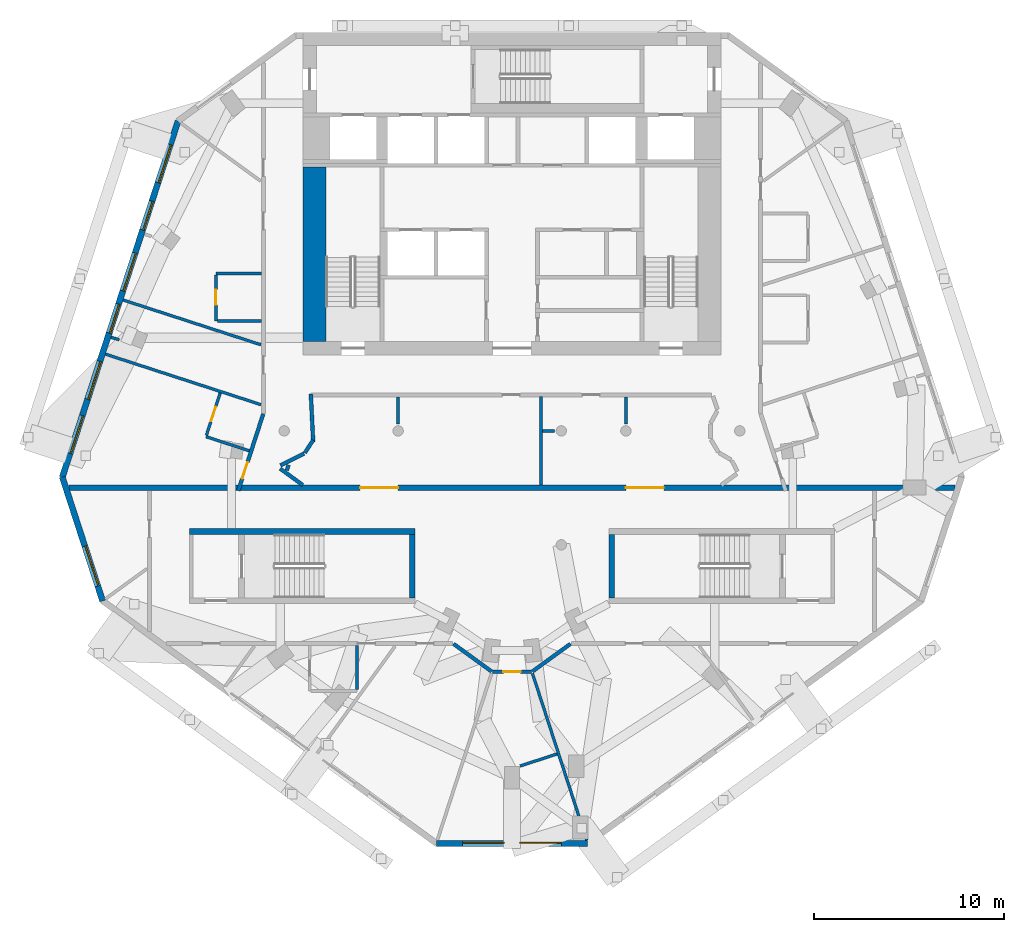
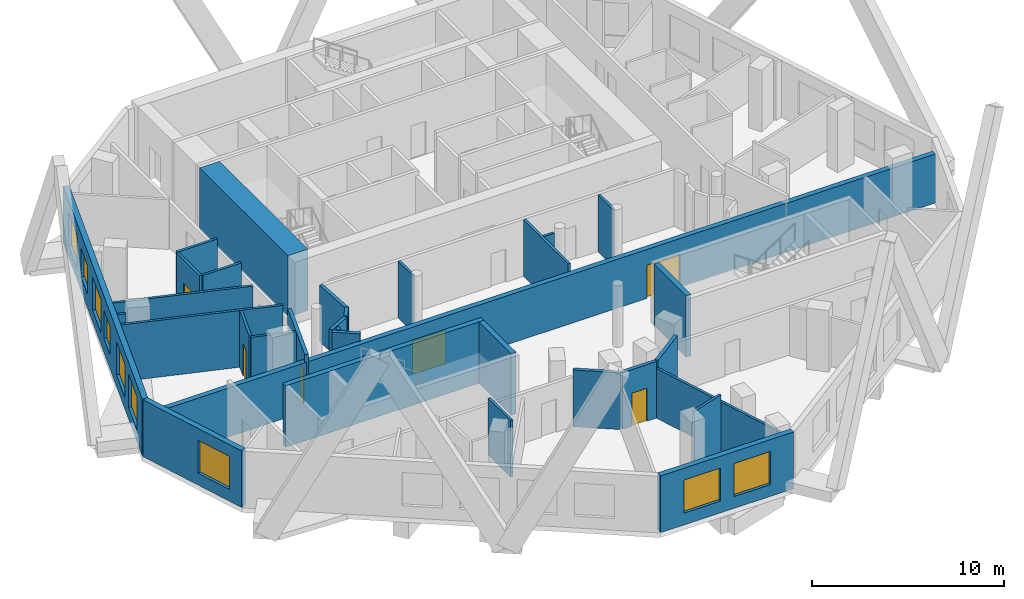
# One storey, part 4 of 10: 32 walls, 9 windows, 6 doors, 15 openings.
"""IFC4 building model written with IfcOpenShell, lengths in metres."""

from ifc_helpers import new_model, si_unit, direction, frame, frame_2d, origin, place, context, subcontext, project, spatial, rectangle, extrude, material, layer, layer_set, type_object, element, fill, save


model = new_model("IFC4")

# Units and contexts
model_context = context("Model", 3, precision=1e-05, world=origin(), true_north=direction((0.0, 1.0)))
body_context = subcontext(model_context, "Body", "Model", "MODEL_VIEW")
ifc_project = project(units=[si_unit("LENGTHUNIT", "METRE"), si_unit("AREAUNIT", "SQUARE_METRE"), si_unit("VOLUMEUNIT", "CUBIC_METRE"), si_unit("PLANEANGLEUNIT", "RADIAN"), si_unit("MASSUNIT", "GRAM", prefix="KILO")], contexts=[model_context])

# Site, building, storey
site_placement = place(None, origin())
site = spatial("IfcSite", under=ifc_project, at=site_placement, CompositionType="ELEMENT")
building_placement = place(site_placement, origin())
building = spatial("IfcBuilding", under=site, at=building_placement, Name="White Candle Pilgrim Tower", CompositionType="ELEMENT")
storey_placement = place(building_placement, frame((0.0, 0.0, 248.300048828125)))
storey = spatial("IfcBuildingStorey", under=building, at=storey_placement, Name="L58", CompositionType="ELEMENT", Elevation=248.300048828125)

# Wall, opening, door
ifc_material_1 = material(Name="Gypsum board on steel studs", Category="steel")
ifc_layer_1 = layer(ifc_material_1, 0.199951171875)
ifc_layer_set_1 = layer_set([ifc_layer_1], Name="Corridor wall 200 mm EI 45")
wall_type_1 = type_object("IfcWallType", Name="Corridor wall 200 mm EI 45", PredefinedType="PARTITIONING", material=ifc_layer_set_1)
wall_1_placement = place(storey_placement, frame((55.580078125, 63.85009765625, 0.0), z_axis=(0.0, 0.0, 1.0), x_axis=(0.308990077211, 0.951065261791, 0.0)))
wall_1 = element("IfcWall", 1, at=wall_1_placement, inside=storey, type_object=wall_type_1, Name="WL-L58-P002", PredefinedType="PARTITIONING", context=body_context, shape_type="SweptSolid", body=[
    extrude(rectangle(XDim=4.255615234375, YDim=0.199951171875, at=frame_2d((2.1279296875, 0.0))), origin(), (0.0, 0.0, 1.0), 3.599853515625),
])
opening_1_placement = place(wall_1_placement, frame((0.68017578125, 0.0, 0.0)))
opening_1 = element("IfcOpeningElement", 2, at=opening_1_placement, cuts=wall_1, Name="Opening T18-117", PredefinedType="OPENING", context=body_context, shape_type="SweptSolid", body=[
    extrude(rectangle(XDim=0.89990234375, YDim=2.10009765625, at=frame_2d((0.449951171875, 1.050048828125))), frame((0.0, 0.10986328125, 0.0), z_axis=(0.0, -1.0, 0.0), x_axis=(1.0, 0.0, 0.0)), (0.0, 0.0, 1.0), 0.219970703125),
])
ifc_material_2 = material(Name="Steel door leaf", Category="steel")
door_type_1 = type_object("IfcDoorType", Name="Fire door 900 x 2100 EI 30", OperationType="NOTDEFINED", PredefinedType="DOOR", material=ifc_material_2)
door_1_placement = place(opening_1_placement, origin())
door_1 = element("IfcDoor", 3, at=door_1_placement, inside=storey, type_object=door_type_1, Name="Door T18-117", OperationType="SINGLE_SWING_LEFT", OverallHeight=2.10009765625, OverallWidth=0.89990234375, PredefinedType="DOOR", context=body_context, shape_type="SweptSolid", body=[
    extrude(rectangle(XDim=0.89990234375, YDim=2.10009765625, at=frame_2d((0.449951171875, 1.050048828125))), frame((0.0, 0.02490234375, 0.0), z_axis=(0.0, -1.0, 0.0), x_axis=(1.0, 0.0, 0.0)), (0.0, 0.0, 1.0), 0.050048828125),
])
fill(opening_1, door_1)

# Wall
wall_2_placement = place(storey_placement, frame((73.08056640625, 55.781005859375, 0.0), z_axis=(0.0, 0.0, 1.0), x_axis=(-0.808962045992, -0.587860874821, 0.0)))
element("IfcWall", 4, at=wall_2_placement, inside=storey, type_object=wall_type_1, Name="WL-L58-P008", PredefinedType="PARTITIONING", context=body_context, shape_type="SweptSolid", body=[
    extrude(rectangle(XDim=2.4755859375, YDim=0.199951171875, at=frame_2d((1.23779296875, 0.0))), origin(), (0.0, 0.0, 1.0), 3.599853515625),
])

# Wall, opening, door
wall_3_placement = place(storey_placement, frame((71.01904296875, 54.306640625, 0.0), z_axis=(0.0, 0.0, 1.0), x_axis=(-1.0, 0.0, 0.0)))
wall_3 = element("IfcWall", 5, at=wall_3_placement, inside=storey, type_object=wall_type_1, Name="WL-L58-P009", PredefinedType="PARTITIONING", context=body_context, shape_type="SweptSolid", body=[
    extrude(rectangle(XDim=2.0380859375, YDim=0.199951171875, at=frame_2d((1.01904296875, 0.0))), origin(), (0.0, 0.0, 1.0), 3.599853515625),
])
opening_2_placement = place(wall_3_placement, frame((0.569091796875, 0.0, 0.0)))
opening_2 = element("IfcOpeningElement", 6, at=opening_2_placement, cuts=wall_3, Name="Opening T18-108", PredefinedType="OPENING", context=body_context, shape_type="SweptSolid", body=[
    extrude(rectangle(XDim=0.89990234375, YDim=2.10009765625, at=frame_2d((0.449951171875, 1.050048828125))), frame((0.0, 0.10986328125, 0.0), z_axis=(0.0, -1.0, 0.0), x_axis=(1.0, 0.0, 0.0)), (0.0, 0.0, 1.0), 0.219970703125),
])
door_2_placement = place(opening_2_placement, origin())
door_2 = element("IfcDoor", 7, at=door_2_placement, inside=storey, type_object=door_type_1, Name="Door T18-108", OperationType="SINGLE_SWING_RIGHT", OverallHeight=2.10009765625, OverallWidth=0.89990234375, PredefinedType="DOOR", context=body_context, shape_type="SweptSolid", body=[
    extrude(rectangle(XDim=0.89990234375, YDim=2.10009765625, at=frame_2d((0.449951171875, 1.050048828125))), frame((0.0, 0.02490234375, 0.0), z_axis=(0.0, -1.0, 0.0), x_axis=(1.0, 0.0, 0.0)), (0.0, 0.0, 1.0), 0.050048828125),
])
fill(opening_2, door_2)

# Walls
wall_4_placement = place(storey_placement, frame((68.922119140625, 54.32568359375, 0.0), z_axis=(0.0, 0.0, 1.0), x_axis=(-0.808962045992, 0.587860874821, 0.0)))
element("IfcWall", 8, at=wall_4_placement, inside=storey, type_object=wall_type_1, Name="WL-L58-P010", PredefinedType="PARTITIONING", context=body_context, shape_type="SweptSolid", body=[
    extrude(rectangle(XDim=2.4755859375, YDim=0.199951171875, at=frame_2d((1.23779296875, 0.0))), origin(), (0.0, 0.0, 1.0), 3.599853515625),
])
wall_5_placement = place(storey_placement, frame((59.400634765625, 68.95068359375, 0.0), z_axis=(0.0, 0.0, 1.0), x_axis=(0.04896364113, -0.998800561597, 0.0)))
element("IfcWall", 9, at=wall_5_placement, inside=storey, type_object=wall_type_1, Name="WL-L58-P019", PredefinedType="PARTITIONING", context=body_context, shape_type="SweptSolid", body=[
    extrude(rectangle(XDim=2.537841796875, YDim=0.199951171875, at=frame_2d((1.26904296875, 0.0))), origin(), (0.0, 0.0, 1.0), 3.599853515625),
])
wall_6_placement = place(storey_placement, frame((59.52001953125, 66.5126953125, 0.0), z_axis=(0.0, 0.0, 1.0), x_axis=(-0.543705102189, -0.839276332238, 0.0)))
element("IfcWall", 10, at=wall_6_placement, inside=storey, type_object=wall_type_1, Name="WL-L58-P020", PredefinedType="PARTITIONING", context=body_context, shape_type="SweptSolid", body=[
    extrude(rectangle(XDim=0.802978515625, YDim=0.199951171875, at=frame_2d((0.4013671875, 0.0))), origin(), (0.0, 0.0, 1.0), 3.599853515625),
])
wall_7_placement = place(storey_placement, frame((59.044189453125, 65.8037109375, 0.0), z_axis=(0.0, 0.0, 1.0), x_axis=(-0.894883208543, -0.44630039555, 0.0)))
element("IfcWall", 11, at=wall_7_placement, inside=storey, type_object=wall_type_1, Name="WL-L58-P021", PredefinedType="PARTITIONING", context=body_context, shape_type="SweptSolid", body=[
    extrude(rectangle(XDim=1.390625, YDim=0.199951171875, at=frame_2d((0.6953125, 0.0))), origin(), (0.0, 0.0, 1.0), 3.599853515625),
])
wall_8_placement = place(storey_placement, frame((57.785400390625, 65.0126953125, 0.0), z_axis=(0.0, 0.0, 1.0), x_axis=(0.809066765609, -0.587716741966, 0.0)))
element("IfcWall", 12, at=wall_8_placement, inside=storey, type_object=wall_type_1, Name="WL-L58-P022", PredefinedType="PARTITIONING", context=body_context, shape_type="SweptSolid", body=[
    extrude(rectangle(XDim=1.468017578125, YDim=0.199951171875, at=frame_2d((0.73388671875, 0.0))), origin(), (0.0, 0.0, 1.0), 3.599853515625),
])
wall_9_placement = place(storey_placement, frame((58.1357421875, 64.920166015625, 0.0), z_axis=(0.0, 0.0, 1.0), x_axis=(0.308939772629, 0.951081603695, 0.0)))
element("IfcWall", 13, at=wall_9_placement, inside=storey, type_object=wall_type_1, Name="WL-L58-P054", PredefinedType="PARTITIONING", context=body_context, shape_type="SweptSolid", body=[
    extrude(rectangle(XDim=0.3017578125, YDim=0.199951171875, at=frame_2d((0.15087890625, 0.0))), origin(), (0.0, 0.0, 1.0), 3.599853515625),
])

# Wall, opening, window
ifc_material_3 = material(Name="Precast concrete C40/50", Category="concrete")
ifc_layer_2 = layer(ifc_material_3, 0.320068359375)
ifc_layer_set_2 = layer_set([ifc_layer_2], Name="Facade wall EW1 precast concrete C40/50 pier wall with timber-lined reveals")
wall_type_2 = type_object("IfcWallType", Name="Facade wall EW1 precast concrete C40/50 pier wall with timber-lined reveals", PredefinedType="SOLIDWALL", material=ifc_layer_set_2)
wall_10_placement = place(storey_placement, frame((46.308349609375, 64.569091796875, 0.0), z_axis=(0.0, 0.0, 1.0), x_axis=(0.309016913419, -0.951056542599, 0.0)))
wall_10 = element("IfcWall", 14, at=wall_10_placement, inside=storey, type_object=wall_type_2, Name="Facade wall L58 W chamfer", PredefinedType="SOLIDWALL", context=body_context, shape_type="SweptSolid", body=[
    extrude(rectangle(XDim=6.86474609375, YDim=0.320068359375, at=frame_2d((3.432373046875, 0.0))), origin(), (0.0, 0.0, 1.0), 3.599853515625),
])
opening_3_placement = place(wall_10_placement, frame((3.83251953125, 0.0, 0.75)))
opening_3 = element("IfcOpeningElement", 15, at=opening_3_placement, cuts=wall_10, Name="Opening W4", PredefinedType="OPENING", context=body_context, shape_type="SweptSolid", body=[
    extrude(rectangle(XDim=2.199951171875, YDim=2.10009765625, at=frame_2d((1.10009765625, 1.050048828125))), frame((0.0, 0.169921875, 0.0), z_axis=(0.0, -1.0, 0.0), x_axis=(1.0, 0.0, 0.0)), (0.0, 0.0, 1.0), 0.340087890625),
])
ifc_material_4 = material(Name="Timber frame with triple glazing", Category="wood")
window_type_1 = type_object("IfcWindowType", Name="Window W4 2200x2100 timber frame triple glazing", PartitioningType="SINGLE_PANEL", PredefinedType="WINDOW", material=ifc_material_4)
window_1_placement = place(opening_3_placement, origin())
window_1 = element("IfcWindow", 16, at=window_1_placement, inside=storey, type_object=window_type_1, Name="Window W4 L58 W chamfer 2", OverallHeight=2.10009765625, OverallWidth=2.199951171875, PartitioningType="SINGLE_PANEL", PredefinedType="WINDOW", context=body_context, shape_type="SweptSolid", body=[
    extrude(rectangle(XDim=2.199951171875, YDim=2.10009765625, at=frame_2d((1.10009765625, 1.050048828125))), frame((0.0, 0.070068359375, 0.0), z_axis=(0.0, -1.0, 0.0), x_axis=(1.0, 0.0, 0.0)), (0.0, 0.0, 1.0), 0.06005859375),
])
fill(opening_3, window_1)

# Wall, openings, windows
wall_11_placement = place(storey_placement, frame((66.01123046875, 45.2666015625, 0.0), z_axis=(0.0, 0.0, 1.0), x_axis=(1.0, 0.0, 0.0)))
wall_11 = element("IfcWall", 17, at=wall_11_placement, inside=storey, type_object=wall_type_2, Name="Facade wall L58 S chamfer", PredefinedType="SOLIDWALL", context=body_context, shape_type="SweptSolid", body=[
    extrude(rectangle(XDim=7.9775390625, YDim=0.320068359375, at=frame_2d((3.98876953125, 0.0))), origin(), (0.0, 0.0, 1.0), 3.599853515625),
])
opening_4_placement = place(wall_11_placement, frame((1.388671875, 0.0, 0.75)))
opening_4 = element("IfcOpeningElement", 18, at=opening_4_placement, cuts=wall_11, Name="Opening W4", PredefinedType="OPENING", context=body_context, shape_type="SweptSolid", body=[
    extrude(rectangle(XDim=2.199951171875, YDim=2.10009765625, at=frame_2d((1.10009765625, 1.050048828125))), frame((0.0, 0.169921875, 0.0), z_axis=(0.0, -1.0, 0.0), x_axis=(1.0, 0.0, 0.0)), (0.0, 0.0, 1.0), 0.340087890625),
])
opening_5_placement = place(wall_11_placement, frame((4.388671875, 0.0, 0.75)))
opening_5 = element("IfcOpeningElement", 19, at=opening_5_placement, cuts=wall_11, Name="Opening W4", PredefinedType="OPENING", context=body_context, shape_type="SweptSolid", body=[
    extrude(rectangle(XDim=2.199951171875, YDim=2.10009765625, at=frame_2d((1.10009765625, 1.050048828125))), frame((0.0, 0.169921875, 0.0), z_axis=(0.0, -1.0, 0.0), x_axis=(1.0, 0.0, 0.0)), (0.0, 0.0, 1.0), 0.340087890625),
])
window_2_placement = place(opening_4_placement, origin())
window_2 = element("IfcWindow", 20, at=window_2_placement, inside=storey, type_object=window_type_1, Name="Window W4 L58 S chamfer 1", OverallHeight=2.10009765625, OverallWidth=2.199951171875, PartitioningType="SINGLE_PANEL", PredefinedType="WINDOW", context=body_context, shape_type="SweptSolid", body=[
    extrude(rectangle(XDim=2.199951171875, YDim=2.10009765625, at=frame_2d((1.10009765625, 1.050048828125))), frame((0.0, 0.070068359375, 0.0), z_axis=(0.0, -1.0, 0.0), x_axis=(1.0, 0.0, 0.0)), (0.0, 0.0, 1.0), 0.06005859375),
])
fill(opening_4, window_2)
window_3_placement = place(opening_5_placement, origin())
window_3 = element("IfcWindow", 21, at=window_3_placement, inside=storey, type_object=window_type_1, Name="Window W4 L58 S chamfer 2", OverallHeight=2.10009765625, OverallWidth=2.199951171875, PartitioningType="SINGLE_PANEL", PredefinedType="WINDOW", context=body_context, shape_type="SweptSolid", body=[
    extrude(rectangle(XDim=2.199951171875, YDim=2.10009765625, at=frame_2d((1.10009765625, 1.050048828125))), frame((0.0, 0.070068359375, 0.0), z_axis=(0.0, -1.0, 0.0), x_axis=(1.0, 0.0, 0.0)), (0.0, 0.0, 1.0), 0.06005859375),
])
fill(opening_5, window_3)

wall_12_placement = place(storey_placement, frame((52.4033203125, 83.326904296875, 0.0), z_axis=(0.0, 0.0, 1.0), x_axis=(-0.309025614403, -0.951053715435, 0.0)))
wall_12 = element("IfcWall", 22, at=wall_12_placement, inside=storey, type_object=wall_type_2, Name="Facade wall L58 WNW", PredefinedType="SOLIDWALL", context=body_context, shape_type="SweptSolid", body=[
    extrude(rectangle(XDim=19.72314453125, YDim=0.320068359375, at=frame_2d((9.861572265625, 0.0))), origin(), (0.0, 0.0, 1.0), 3.599853515625),
])
opening_6_placement = place(wall_12_placement, frame((1.3115234375, 0.0, 0.75)))
opening_6 = element("IfcOpeningElement", 23, at=opening_6_placement, cuts=wall_12, Name="Opening W3", PredefinedType="OPENING", context=body_context, shape_type="SweptSolid", body=[
    extrude(rectangle(XDim=2.10009765625, YDim=2.10009765625, at=frame_2d((1.050048828125, 1.050048828125))), frame((0.0, 0.169921875, 0.0), z_axis=(0.0, -1.0, 0.0), x_axis=(1.0, 0.0, 0.0)), (0.0, 0.0, 1.0), 0.340087890625),
])
opening_7_placement = place(wall_12_placement, frame((4.439208984375, 0.0, 0.89990234375)))
opening_7 = element("IfcOpeningElement", 24, at=opening_7_placement, cuts=wall_12, Name="Opening W2", PredefinedType="OPENING", context=body_context, shape_type="SweptSolid", body=[
    extrude(rectangle(XDim=1.60009765625, YDim=1.800048828125, at=frame_2d((0.800048828125, 0.89990234375))), frame((0.0, 0.169921875, 0.0), z_axis=(0.0, -1.0, 0.0), x_axis=(1.0, 0.0, 0.0)), (0.0, 0.0, 1.0), 0.340087890625),
])
opening_8_placement = place(wall_12_placement, frame((7.3115234375, 0.0, 0.75)))
opening_8 = element("IfcOpeningElement", 25, at=opening_8_placement, cuts=wall_12, Name="Opening W3", PredefinedType="OPENING", context=body_context, shape_type="SweptSolid", body=[
    extrude(rectangle(XDim=2.10009765625, YDim=2.10009765625, at=frame_2d((1.050048828125, 1.050048828125))), frame((0.0, 0.169921875, 0.0), z_axis=(0.0, -1.0, 0.0), x_axis=(1.0, 0.0, 0.0)), (0.0, 0.0, 1.0), 0.340087890625),
])
opening_9_placement = place(wall_12_placement, frame((10.14794921875, 0.0, 0.89990234375)))
opening_9 = element("IfcOpeningElement", 26, at=opening_9_placement, cuts=wall_12, Name="Opening W2", PredefinedType="OPENING", context=body_context, shape_type="SweptSolid", body=[
    extrude(rectangle(XDim=1.60009765625, YDim=1.800048828125, at=frame_2d((0.800048828125, 0.89990234375))), frame((0.0, 0.169921875, 0.0), z_axis=(0.0, -1.0, 0.0), x_axis=(1.0, 0.0, 0.0)), (0.0, 0.0, 1.0), 0.340087890625),
])
opening_10_placement = place(wall_12_placement, frame((13.3115234375, 0.0, 0.75)))
opening_10 = element("IfcOpeningElement", 27, at=opening_10_placement, cuts=wall_12, Name="Opening W3", PredefinedType="OPENING", context=body_context, shape_type="SweptSolid", body=[
    extrude(rectangle(XDim=2.10009765625, YDim=2.10009765625, at=frame_2d((1.050048828125, 1.050048828125))), frame((0.0, 0.169921875, 0.0), z_axis=(0.0, -1.0, 0.0), x_axis=(1.0, 0.0, 0.0)), (0.0, 0.0, 1.0), 0.340087890625),
])
opening_11_placement = place(wall_12_placement, frame((16.3115234375, 0.0, 0.75)))
opening_11 = element("IfcOpeningElement", 28, at=opening_11_placement, cuts=wall_12, Name="Opening W3", PredefinedType="OPENING", context=body_context, shape_type="SweptSolid", body=[
    extrude(rectangle(XDim=2.10009765625, YDim=2.10009765625, at=frame_2d((1.050048828125, 1.050048828125))), frame((0.0, 0.169921875, 0.0), z_axis=(0.0, -1.0, 0.0), x_axis=(1.0, 0.0, 0.0)), (0.0, 0.0, 1.0), 0.340087890625),
])
window_type_2 = type_object("IfcWindowType", Name="Window W2 1600x1800 timber frame triple glazing", PartitioningType="SINGLE_PANEL", PredefinedType="WINDOW", material=ifc_material_4)
window_4_placement = place(opening_7_placement, origin())
window_4 = element("IfcWindow", 29, at=window_4_placement, inside=storey, type_object=window_type_2, Name="Window W2 L58 WNW 2", OverallHeight=1.800048828125, OverallWidth=1.60009765625, PartitioningType="SINGLE_PANEL", PredefinedType="WINDOW", context=body_context, shape_type="SweptSolid", body=[
    extrude(rectangle(XDim=1.60009765625, YDim=1.800048828125, at=frame_2d((0.800048828125, 0.89990234375))), frame((0.0, 0.070068359375, 0.0), z_axis=(0.0, -1.0, 0.0), x_axis=(1.0, 0.0, 0.0)), (0.0, 0.0, 1.0), 0.06005859375),
])
fill(opening_7, window_4)
window_5_placement = place(opening_9_placement, origin())
window_5 = element("IfcWindow", 30, at=window_5_placement, inside=storey, type_object=window_type_2, Name="Window W2 L58 WNW 4", OverallHeight=1.800048828125, OverallWidth=1.60009765625, PartitioningType="SINGLE_PANEL", PredefinedType="WINDOW", context=body_context, shape_type="SweptSolid", body=[
    extrude(rectangle(XDim=1.60009765625, YDim=1.800048828125, at=frame_2d((0.800048828125, 0.89990234375))), frame((0.0, 0.070068359375, 0.0), z_axis=(0.0, -1.0, 0.0), x_axis=(1.0, 0.0, 0.0)), (0.0, 0.0, 1.0), 0.06005859375),
])
fill(opening_9, window_5)
window_type_3 = type_object("IfcWindowType", Name="Window W3 2100x2100 timber frame triple glazing", PartitioningType="SINGLE_PANEL", PredefinedType="WINDOW", material=ifc_material_4)
window_6_placement = place(opening_6_placement, origin())
window_6 = element("IfcWindow", 31, at=window_6_placement, inside=storey, type_object=window_type_3, Name="Window W3 L58 WNW 1", OverallHeight=2.10009765625, OverallWidth=2.10009765625, PartitioningType="SINGLE_PANEL", PredefinedType="WINDOW", context=body_context, shape_type="SweptSolid", body=[
    extrude(rectangle(XDim=2.10009765625, YDim=2.10009765625, at=frame_2d((1.050048828125, 1.050048828125))), frame((0.0, 0.070068359375, 0.0), z_axis=(0.0, -1.0, 0.0), x_axis=(1.0, 0.0, 0.0)), (0.0, 0.0, 1.0), 0.06005859375),
])
fill(opening_6, window_6)
window_7_placement = place(opening_8_placement, origin())
window_7 = element("IfcWindow", 32, at=window_7_placement, inside=storey, type_object=window_type_3, Name="Window W3 L58 WNW 3", OverallHeight=2.10009765625, OverallWidth=2.10009765625, PartitioningType="SINGLE_PANEL", PredefinedType="WINDOW", context=body_context, shape_type="SweptSolid", body=[
    extrude(rectangle(XDim=2.10009765625, YDim=2.10009765625, at=frame_2d((1.050048828125, 1.050048828125))), frame((0.0, 0.070068359375, 0.0), z_axis=(0.0, -1.0, 0.0), x_axis=(1.0, 0.0, 0.0)), (0.0, 0.0, 1.0), 0.06005859375),
])
fill(opening_8, window_7)
window_8_placement = place(opening_10_placement, origin())
window_8 = element("IfcWindow", 33, at=window_8_placement, inside=storey, type_object=window_type_3, Name="Window W3 L58 WNW 5", OverallHeight=2.10009765625, OverallWidth=2.10009765625, PartitioningType="SINGLE_PANEL", PredefinedType="WINDOW", context=body_context, shape_type="SweptSolid", body=[
    extrude(rectangle(XDim=2.10009765625, YDim=2.10009765625, at=frame_2d((1.050048828125, 1.050048828125))), frame((0.0, 0.070068359375, 0.0), z_axis=(0.0, -1.0, 0.0), x_axis=(1.0, 0.0, 0.0)), (0.0, 0.0, 1.0), 0.06005859375),
])
fill(opening_10, window_8)
window_9_placement = place(opening_11_placement, origin())
window_9 = element("IfcWindow", 34, at=window_9_placement, inside=storey, type_object=window_type_3, Name="Window W3 L58 WNW 6", OverallHeight=2.10009765625, OverallWidth=2.10009765625, PartitioningType="SINGLE_PANEL", PredefinedType="WINDOW", context=body_context, shape_type="SweptSolid", body=[
    extrude(rectangle(XDim=2.10009765625, YDim=2.10009765625, at=frame_2d((1.050048828125, 1.050048828125))), frame((0.0, 0.070068359375, 0.0), z_axis=(0.0, -1.0, 0.0), x_axis=(1.0, 0.0, 0.0)), (0.0, 0.0, 1.0), 0.06005859375),
])
fill(opening_11, window_9)

# Wall, openings, doors
ifc_material_5 = material(Name="Aerated concrete block", Category="concrete")
ifc_layer_3 = layer(ifc_material_5, 0.300048828125)
ifc_layer_set_3 = layer_set([ifc_layer_3], Name="Fire wall 300 mm REI 240")
wall_type_3 = type_object("IfcWallType", Name="Fire wall 300 mm REI 240", PredefinedType="PARTITIONING", material=ifc_layer_set_3)
wall_13_placement = place(storey_placement, frame((46.66162109375, 64.0, 0.0), z_axis=(0.0, 0.0, 1.0), x_axis=(1.0, 0.0, 0.0)))
wall_13 = element("IfcWall", 35, at=wall_13_placement, inside=storey, type_object=wall_type_3, Name="WL-L58-P001", PredefinedType="PARTITIONING", context=body_context, shape_type="SweptSolid", body=[
    extrude(rectangle(XDim=46.6767578125, YDim=0.300048828125, at=frame_2d((23.33837890625, 0.0))), origin(), (0.0, 0.0, 1.0), 3.099853515625),
])
opening_12_placement = place(wall_13_placement, frame((15.337646484375, 0.0, 0.0)))
opening_12 = element("IfcOpeningElement", 36, at=opening_12_placement, cuts=wall_13, Name="Opening T18-115", PredefinedType="OPENING", context=body_context, shape_type="SweptSolid", body=[
    extrude(rectangle(XDim=2.0, YDim=2.10009765625, at=frame_2d((1.0, 1.050048828125))), frame((0.0, 0.159912109375, 0.0), z_axis=(0.0, -1.0, 0.0), x_axis=(1.0, 0.0, 0.0)), (0.0, 0.0, 1.0), 0.320068359375),
])
opening_13_placement = place(wall_13_placement, frame((29.339111328125, 0.0, 0.0)))
opening_13 = element("IfcOpeningElement", 37, at=opening_13_placement, cuts=wall_13, Name="Opening T18-116", PredefinedType="OPENING", context=body_context, shape_type="SweptSolid", body=[
    extrude(rectangle(XDim=2.0, YDim=2.10009765625, at=frame_2d((1.0, 1.050048828125))), frame((0.0, 0.159912109375, 0.0), z_axis=(0.0, -1.0, 0.0), x_axis=(1.0, 0.0, 0.0)), (0.0, 0.0, 1.0), 0.320068359375),
])
door_type_2 = type_object("IfcDoorType", Name="Fire door 2000 x 2100 EI 60", OperationType="NOTDEFINED", PredefinedType="DOOR", material=ifc_material_2)
door_3_placement = place(opening_12_placement, origin())
door_3 = element("IfcDoor", 38, at=door_3_placement, inside=storey, type_object=door_type_2, Name="Door T18-115", OperationType="DOUBLE_DOOR_SINGLE_SWING", OverallHeight=2.10009765625, OverallWidth=2.0, PredefinedType="DOOR", context=body_context, shape_type="SweptSolid", body=[
    extrude(rectangle(XDim=2.0, YDim=2.10009765625, at=frame_2d((1.0, 1.050048828125))), frame((0.0, 0.02490234375, 0.0), z_axis=(0.0, -1.0, 0.0), x_axis=(1.0, 0.0, 0.0)), (0.0, 0.0, 1.0), 0.050048828125),
])
fill(opening_12, door_3)
door_4_placement = place(opening_13_placement, origin())
door_4 = element("IfcDoor", 39, at=door_4_placement, inside=storey, type_object=door_type_2, Name="Door T18-116", OperationType="DOUBLE_DOOR_SINGLE_SWING", OverallHeight=2.10009765625, OverallWidth=2.0, PredefinedType="DOOR", context=body_context, shape_type="SweptSolid", body=[
    extrude(rectangle(XDim=2.0, YDim=2.10009765625, at=frame_2d((1.0, 1.050048828125))), frame((0.0, 0.02490234375, 0.0), z_axis=(0.0, -1.0, 0.0), x_axis=(1.0, 0.0, 0.0)), (0.0, 0.0, 1.0), 0.050048828125),
])
fill(opening_13, door_4)

# Walls
ifc_layer_4 = layer(ifc_material_1, 0.14990234375)
ifc_layer_set_4 = layer_set([ifc_layer_4], Name="Partition 150 mm EI 60")
wall_type_4 = type_object("IfcWallType", Name="Partition 150 mm EI 60", PredefinedType="PARTITIONING", material=ifc_layer_set_4)
wall_14_placement = place(storey_placement, frame((73.936767578125, 45.4267578125, 0.0), z_axis=(0.0, 0.0, 1.0), x_axis=(-0.309006712512, 0.951059857014, 0.0)))
element("IfcWall", 40, at=wall_14_placement, inside=storey, type_object=wall_type_4, Name="WL-L58-P028", PredefinedType="PARTITIONING", context=body_context, shape_type="SweptSolid", body=[
    extrude(rectangle(XDim=9.251953125, YDim=0.14990234375, at=frame_2d((4.6259765625, 0.0))), origin(), (0.0, 0.0, 1.0), 3.14990234375),
])
wall_15_placement = place(storey_placement, frame((49.508056640625, 73.898681640625, 0.0), z_axis=(0.0, 0.0, 1.0), x_axis=(0.951054958968, -0.309021787293, 0.0)))
element("IfcWall", 41, at=wall_15_placement, inside=storey, type_object=wall_type_4, Name="WL-L58-P031", PredefinedType="PARTITIONING", context=body_context, shape_type="SweptSolid", body=[
    extrude(rectangle(XDim=7.642822265625, YDim=0.14990234375, at=frame_2d((3.8212890625, 0.0))), origin(), (0.0, 0.0, 1.0), 2.89990234375),
])
wall_16_placement = place(storey_placement, frame((48.5810546875, 71.04541015625, 0.0), z_axis=(0.0, 0.0, 1.0), x_axis=(0.951052804469, -0.309028417967, 0.0)))
element("IfcWall", 42, at=wall_16_placement, inside=storey, type_object=wall_type_4, Name="WL-L58-P032", PredefinedType="PARTITIONING", context=body_context, shape_type="SweptSolid", body=[
    extrude(rectangle(XDim=8.61767578125, YDim=0.14990234375, at=frame_2d((4.308837890625, 0.0))), origin(), (0.0, 0.0, 1.0), 3.599853515625),
])
wall_17_placement = place(storey_placement, frame((56.800048828125, 75.296875, 0.0), z_axis=(0.0, 0.0, 1.0), x_axis=(-1.0, 0.0, 0.0)))
element("IfcWall", 43, at=wall_17_placement, inside=storey, type_object=wall_type_4, Name="WL-L58-P033", PredefinedType="PARTITIONING", context=body_context, shape_type="SweptSolid", body=[
    extrude(rectangle(XDim=2.400146484375, YDim=0.14990234375, at=frame_2d((1.2001953125, 0.0))), origin(), (0.0, 0.0, 1.0), 3.599853515625),
])

# Wall, opening, door
wall_18_placement = place(storey_placement, frame((54.39990234375, 72.796875, 0.0), z_axis=(0.0, 0.0, 1.0), x_axis=(0.0, 1.0, 0.0)))
wall_18 = element("IfcWall", 44, at=wall_18_placement, inside=storey, type_object=wall_type_4, Name="WL-L58-P034", PredefinedType="PARTITIONING", context=body_context, shape_type="SweptSolid", body=[
    extrude(rectangle(XDim=2.4248046875, YDim=0.14990234375, at=frame_2d((1.21240234375, 0.0))), origin(), (0.0, 0.0, 1.0), 3.599853515625),
])
opening_14_placement = place(wall_18_placement, frame((0.85009765625, 0.0, 0.0)))
opening_14 = element("IfcOpeningElement", 45, at=opening_14_placement, cuts=wall_18, Name="Opening T18-101", PredefinedType="OPENING", context=body_context, shape_type="SweptSolid", body=[
    extrude(rectangle(XDim=0.800048828125, YDim=2.10009765625, at=frame_2d((0.39990234375, 1.050048828125))), frame((0.0, 0.0849609375, 0.0), z_axis=(0.0, -1.0, 0.0), x_axis=(1.0, 0.0, 0.0)), (0.0, 0.0, 1.0), 0.169921875),
])
door_type_3 = type_object("IfcDoorType", Name="Fire door 800 x 2100 EI 30", OperationType="NOTDEFINED", PredefinedType="DOOR", material=ifc_material_2)
door_5_placement = place(opening_14_placement, origin())
door_5 = element("IfcDoor", 46, at=door_5_placement, inside=storey, type_object=door_type_3, Name="Door T18-101", OperationType="SINGLE_SWING_LEFT", OverallHeight=2.10009765625, OverallWidth=0.800048828125, PredefinedType="DOOR", context=body_context, shape_type="SweptSolid", body=[
    extrude(rectangle(XDim=0.800048828125, YDim=2.10009765625, at=frame_2d((0.39990234375, 1.050048828125))), frame((0.0, 0.02490234375, 0.0), z_axis=(0.0, -1.0, 0.0), x_axis=(1.0, 0.0, 0.0)), (0.0, 0.0, 1.0), 0.050048828125),
])
fill(opening_14, door_5)

# Walls
wall_19_placement = place(storey_placement, frame((56.800048828125, 72.796875, 0.0), z_axis=(0.0, 0.0, 1.0), x_axis=(-1.0, 0.0, 0.0)))
element("IfcWall", 47, at=wall_19_placement, inside=storey, type_object=wall_type_4, Name="WL-L58-P035", PredefinedType="PARTITIONING", context=body_context, shape_type="SweptSolid", body=[
    extrude(rectangle(XDim=2.324951171875, YDim=0.14990234375, at=frame_2d((1.16259765625, 0.0))), origin(), (0.0, 0.0, 1.0), 3.599853515625),
])
wall_20_placement = place(storey_placement, frame((56.15869140625, 65.95458984375, 0.0), z_axis=(0.0, 0.0, 1.0), x_axis=(-0.951046776628, 0.309046968381, 0.0)))
element("IfcWall", 48, at=wall_20_placement, inside=storey, type_object=wall_type_4, Name="WL-L58-P036", PredefinedType="PARTITIONING", context=body_context, shape_type="SweptSolid", body=[
    extrude(rectangle(XDim=2.39990234375, YDim=0.14990234375, at=frame_2d((1.199951171875, 0.0))), origin(), (0.0, 0.0, 1.0), 3.599853515625),
])

# Wall, opening, door
wall_21_placement = place(storey_placement, frame((54.62548828125, 69.002685546875, 0.0), z_axis=(0.0, 0.0, 1.0), x_axis=(-0.308956872689, -0.951076048914, 0.0)))
wall_21 = element("IfcWall", 49, at=wall_21_placement, inside=storey, type_object=wall_type_4, Name="WL-L58-P037", PredefinedType="PARTITIONING", context=body_context, shape_type="SweptSolid", body=[
    extrude(rectangle(XDim=2.35009765625, YDim=0.14990234375, at=frame_2d((1.175048828125, 0.0))), origin(), (0.0, 0.0, 1.0), 3.599853515625),
])
opening_15_placement = place(wall_21_placement, frame((0.77490234375, 0.0, 0.0)))
opening_15 = element("IfcOpeningElement", 50, at=opening_15_placement, cuts=wall_21, Name="Opening T18-102", PredefinedType="OPENING", context=body_context, shape_type="SweptSolid", body=[
    extrude(rectangle(XDim=0.800048828125, YDim=2.10009765625, at=frame_2d((0.39990234375, 1.050048828125))), frame((0.0, 0.0849609375, 0.0), z_axis=(0.0, -1.0, 0.0), x_axis=(1.0, 0.0, 0.0)), (0.0, 0.0, 1.0), 0.169921875),
])
door_6_placement = place(opening_15_placement, frame((0.800048828125, 0.0, 0.0), z_axis=(0.0, 0.0, 1.0), x_axis=(-1.0, 0.0, 0.0)))
door_6 = element("IfcDoor", 51, at=door_6_placement, inside=storey, type_object=door_type_3, Name="Door T18-102", OperationType="SINGLE_SWING_LEFT", OverallHeight=2.10009765625, OverallWidth=0.800048828125, PredefinedType="DOOR", context=body_context, shape_type="SweptSolid", body=[
    extrude(rectangle(XDim=0.800048828125, YDim=2.10009765625, at=frame_2d((0.39990234375, 1.050048828125))), frame((0.0, 0.02490234375, 0.0), z_axis=(0.0, -1.0, 0.0), x_axis=(1.0, 0.0, 0.0)), (0.0, 0.0, 1.0), 0.050048828125),
])
fill(opening_15, door_6)

# Walls
wall_22_placement = place(storey_placement, frame((61.84130859375, 55.699951171875, 0.0), z_axis=(0.0, 0.0, 1.0), x_axis=(0.0, -1.0, 0.0)))
element("IfcWall", 52, at=wall_22_placement, inside=storey, type_object=wall_type_4, Name="WL-L58-P042", PredefinedType="PARTITIONING", context=body_context, shape_type="SweptSolid", body=[
    extrude(rectangle(XDim=2.324951171875, YDim=0.14990234375, at=frame_2d((1.16259765625, 0.0))), origin(), (0.0, 0.0, 1.0), 3.599853515625),
])
wall_23_placement = place(storey_placement, frame((71.51904296875, 64.14990234375, 0.0), z_axis=(0.0, 0.0, 1.0), x_axis=(0.0, 1.0, 0.0)))
element("IfcWall", 53, at=wall_23_placement, inside=storey, type_object=wall_type_4, Name="WL-L58-P055", PredefinedType="PARTITIONING", context=body_context, shape_type="SweptSolid", body=[
    extrude(rectangle(XDim=4.650146484375, YDim=0.14990234375, at=frame_2d((2.3251953125, 0.0))), origin(), (0.0, 0.0, 1.0), 3.599853515625),
])
wall_24_placement = place(storey_placement, frame((70.428955078125, 49.34619140625, 0.0), z_axis=(0.0, 0.0, 1.0), x_axis=(0.95108481729, 0.308929879295, 0.0)))
element("IfcWall", 54, at=wall_24_placement, inside=storey, type_object=wall_type_4, Name="WL-L58-P056", PredefinedType="PARTITIONING", context=body_context, shape_type="SweptSolid", body=[
    extrude(rectangle(XDim=2.050048828125, YDim=0.14990234375, at=frame_2d((1.02490234375, 0.0))), origin(), (0.0, 0.0, 1.0), 3.599853515625),
])
wall_25_placement = place(storey_placement, frame((49.308349609375, 71.7958984375, 0.0), z_axis=(0.0, 0.0, 1.0), x_axis=(-0.951045774968, 0.309050050827, 0.0)))
element("IfcWall", 55, at=wall_25_placement, inside=storey, type_object=wall_type_4, Name="WL-L58-P060", PredefinedType="PARTITIONING", context=body_context, shape_type="SweptSolid", body=[
    extrude(rectangle(XDim=0.459716796875, YDim=0.14990234375, at=frame_2d((0.22998046875, 0.0))), origin(), (0.0, 0.0, 1.0), 3.599853515625),
])
wall_26_placement = place(storey_placement, frame((63.997802734375, 67.364990234375, 0.0), z_axis=(0.0, 0.0, 1.0), x_axis=(0.0, 1.0, 0.0)))
element("IfcWall", 56, at=wall_26_placement, inside=storey, type_object=wall_type_4, Name="WL-L58-P061", PredefinedType="PARTITIONING", context=body_context, shape_type="SweptSolid", body=[
    extrude(rectangle(XDim=1.43505859375, YDim=0.14990234375, at=frame_2d((0.717529296875, 0.0))), origin(), (0.0, 0.0, 1.0), 3.599853515625),
])
wall_27_placement = place(storey_placement, frame((72.235107421875, 66.997802734375, 0.0), z_axis=(0.0, 0.0, 1.0), x_axis=(-1.0, 0.0, 0.0)))
element("IfcWall", 57, at=wall_27_placement, inside=storey, type_object=wall_type_4, Name="WL-L58-P062", PredefinedType="PARTITIONING", context=body_context, shape_type="SweptSolid", body=[
    extrude(rectangle(XDim=0.64111328125, YDim=0.14990234375, at=frame_2d((0.320556640625, 0.0))), origin(), (0.0, 0.0, 1.0), 3.599853515625),
])
wall_28_placement = place(storey_placement, frame((75.997802734375, 67.364990234375, 0.0), z_axis=(0.0, 0.0, 1.0), x_axis=(0.0, 1.0, 0.0)))
element("IfcWall", 58, at=wall_28_placement, inside=storey, type_object=wall_type_4, Name="WL-L58-P063", PredefinedType="PARTITIONING", context=body_context, shape_type="SweptSolid", body=[
    extrude(rectangle(XDim=1.43505859375, YDim=0.14990234375, at=frame_2d((0.717529296875, 0.0))), origin(), (0.0, 0.0, 1.0), 3.599853515625),
])
ifc_material_6 = material(Name="Concrete C50/60", Category="concrete")
ifc_layer_5 = layer(ifc_material_6, 1.199951171875)
ifc_layer_set_5 = layer_set([ifc_layer_5], Name="Stair shaft wall 1200 mm Concrete C50/60")
wall_type_5 = type_object("IfcWallType", Name="Stair shaft wall 1200 mm Concrete C50/60", PredefinedType="SHEAR", material=ifc_layer_set_5)
wall_29_placement = place(storey_placement, frame((59.60009765625, 71.699951171875, 0.0), z_axis=(0.0, 0.0, 1.0), x_axis=(0.0, 1.0, 0.0)))
element("IfcWall", 59, at=wall_29_placement, inside=storey, type_object=wall_type_5, Name="WL-L58-C12", PredefinedType="SHEAR", context=body_context, shape_type="SweptSolid", body=[
    extrude(rectangle(XDim=9.199951171875, YDim=1.199951171875, at=frame_2d((4.60009765625, 0.0))), origin(), (0.0, 0.0, 1.0), 3.89990234375),
])
ifc_layer_6 = layer(ifc_material_6, 0.300048828125)
ifc_layer_set_6 = layer_set([ifc_layer_6], Name="Stair shaft wall 300 mm Concrete C50/60")
wall_type_6 = type_object("IfcWallType", Name="Stair shaft wall 300 mm Concrete C50/60", PredefinedType="SHEAR", material=ifc_layer_set_6)
for number, where, z_axis, x_axis, name in (
    (60, (64.75, 58.199951171875, 0.0), (0.0, 0.0, 1.0), (0.0, 1.0, 0.0), "WL-L58-C05"),
    (61, (75.25, 58.199951171875, 0.0), (0.0, 0.0, 1.0), (0.0, 1.0, 0.0), "WL-L58-C06"),
):
    element("IfcWall", number, at=place(storey_placement, frame(where, z_axis=z_axis, x_axis=x_axis)), inside=storey, type_object=wall_type_6, Name=name, PredefinedType="SHEAR", context=body_context, shape_type="SweptSolid", body=[
        extrude(rectangle(XDim=3.35009765625, YDim=0.300048828125, at=frame_2d((1.675048828125, 0.0))), origin(), (0.0, 0.0, 1.0), 3.89990234375),
    ])
wall_30_placement = place(storey_placement, frame((53.0, 61.699951171875, 0.0), z_axis=(0.0, 0.0, 1.0), x_axis=(1.0, 0.0, 0.0)))
element("IfcWall", 62, at=wall_30_placement, inside=storey, type_object=wall_type_6, Name="WL-L58-C09", PredefinedType="SHEAR", context=body_context, shape_type="SweptSolid", body=[
    extrude(rectangle(XDim=11.89990234375, YDim=0.300048828125, at=frame_2d((5.949951171875, 0.0))), origin(), (0.0, 0.0, 1.0), 3.89990234375),
])

save(model, "model.ifc")
